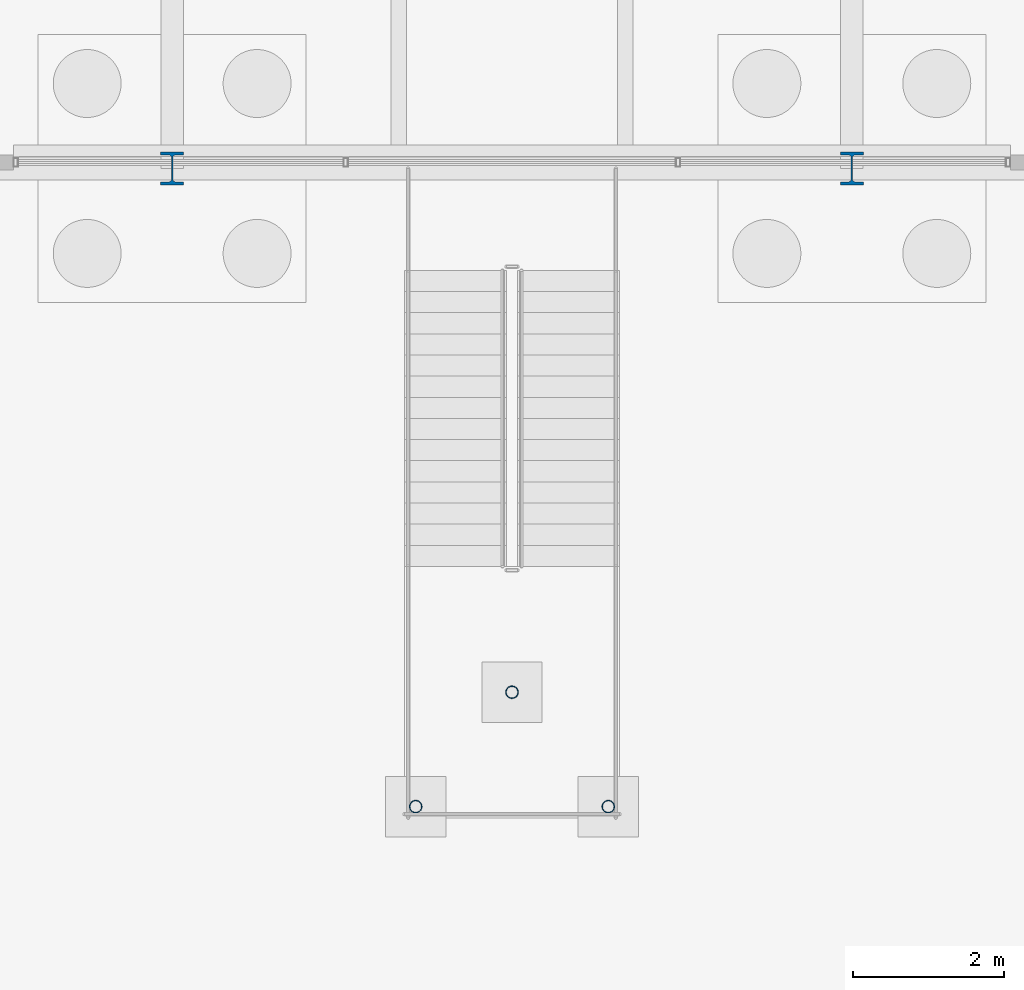
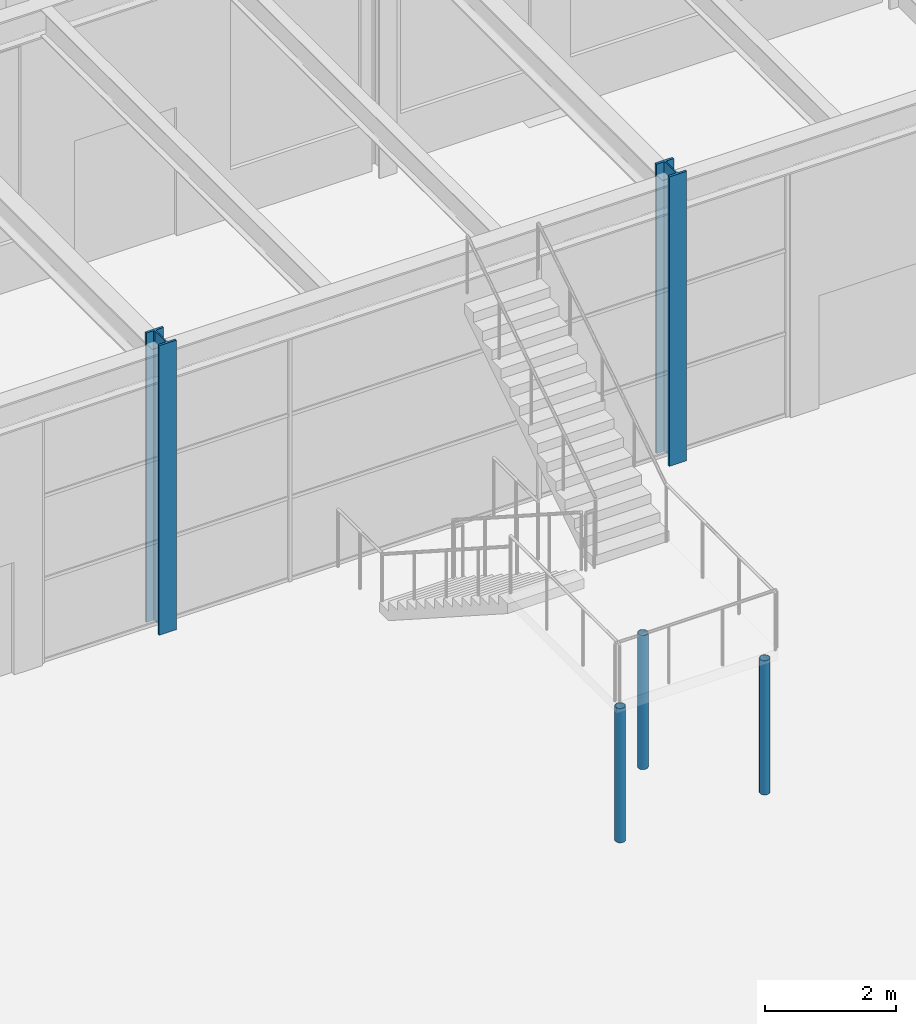
# One storey, part 19 of 126: 5 columns.
"""IFC4 building model written with IfcOpenShell, lengths in metres."""

from ifc_helpers import new_model, si_unit, direction, frame, origin, origin_2d, place, context, subcontext, project, spatial, hollow_circle, i_section, extrude, material, material_profile, profile_set, type_object, element, save


model = new_model("IFC4")

# Units and contexts
model_context = context("Model", 3, precision=1e-05, world=origin(), true_north=direction((0.0, 1.0)))
body_context = subcontext(model_context, "Body", "Model", "MODEL_VIEW")
ifc_project = project(units=[si_unit("LENGTHUNIT", "METRE"), si_unit("AREAUNIT", "SQUARE_METRE"), si_unit("VOLUMEUNIT", "CUBIC_METRE"), si_unit("PLANEANGLEUNIT", "RADIAN"), si_unit("MASSUNIT", "GRAM", prefix="KILO")], contexts=[model_context])

# Site, building, storey
site_placement = place(None, origin())
site = spatial("IfcSite", under=ifc_project, at=site_placement, CompositionType="ELEMENT")
building_placement = place(site_placement, origin())
building = spatial("IfcBuilding", under=site, at=building_placement, Name="Kallimachos Central Library", CompositionType="ELEMENT")
storey_placement = place(building_placement, origin())
storey = spatial("IfcBuildingStorey", under=building, at=storey_placement, Name="L00", CompositionType="ELEMENT", Elevation=0.0)

# Columns
ifc_material_1 = material(Name="Steel S355J2H", Category="steel")
ifc_material_profile_1 = material_profile(ifc_material_1, hollow_circle(Radius=0.084228515625, WallThickness=0.008056640625, at=origin_2d()), Name="CHS 168.3x8")
ifc_profile_set_1 = profile_set([ifc_material_profile_1], Name="Steel S355J2H")
column_type_1 = type_object("IfcColumnType", Name="CHS 168.3x8 column", PredefinedType="COLUMN", material=ifc_profile_set_1)
for number, where, z_axis, x_axis, name in (
    (1, (86.72509765625, 66.550048828125, 0.0), (0.0, 0.0, 1.0), (1.0, 0.0, 0.0), "Feature stair landing post"),
    (2, (89.27490234375, 66.550048828125, 0.0), (0.0, 0.0, 1.0), (1.0, 0.0, 0.0), "Feature stair landing post"),
    (3, (88.0, 68.06494140625, 0.0), (0.0, 0.0, 1.0), (1.0, 0.0, 0.0), "Feature stair landing post"),
):
    element("IfcColumn", number, at=place(storey_placement, frame(where, z_axis=z_axis, x_axis=x_axis)), inside=storey, type_object=column_type_1, Name=name, PredefinedType="COLUMN", context=body_context, shape_type="SweptSolid", body=[
        extrude(hollow_circle(Radius=0.084228515625, WallThickness=0.008056640625, at=origin_2d()), origin(), (0.0, 0.0, 1.0), 2.5),
    ])
ifc_material_2 = material(Name="Steel S355J2", Category="steel")
ifc_material_profile_2 = material_profile(ifc_material_2, i_section(OverallWidth=0.306884765625, OverallDepth=0.431884765625, WebThickness=0.02099609375, FlangeThickness=0.0400390625, FilletRadius=0.027099609375, at=origin_2d()), Name="HEM 400")
ifc_profile_set_2 = profile_set([ifc_material_profile_2], Name="Steel S355J2")
column_type_2 = type_object("IfcColumnType", Name="HEM 400 column", PredefinedType="COLUMN", material=ifc_profile_set_2)
for number, where, z_axis, x_axis, name in (
    (4, (83.5, 75.0, 0.0), (0.0, 0.0, 1.0), (1.0, 0.0, 0.0), "V4-COL-L00-024"),
    (5, (92.5, 75.0, 0.0), (0.0, 0.0, 1.0), (1.0, 0.0, 0.0), "V4-COL-L00-025"),
):
    element("IfcColumn", number, at=place(storey_placement, frame(where, z_axis=z_axis, x_axis=x_axis)), inside=storey, type_object=column_type_2, Name=name, PredefinedType="COLUMN", context=body_context, shape_type="SweptSolid", body=[
        extrude(i_section(OverallWidth=0.306884765625, OverallDepth=0.431884765625, WebThickness=0.02099609375, FlangeThickness=0.0400390625, FilletRadius=0.027099609375, at=origin_2d()), origin(), (0.0, 0.0, 1.0), 5.39990234375),
    ])

save(model, "model.ifc")
